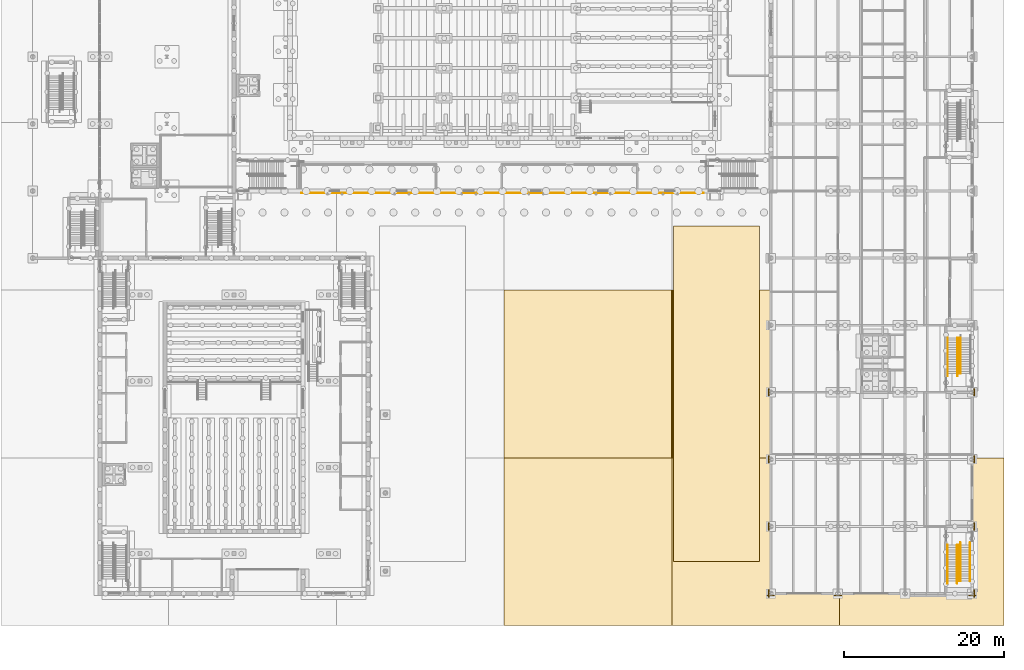
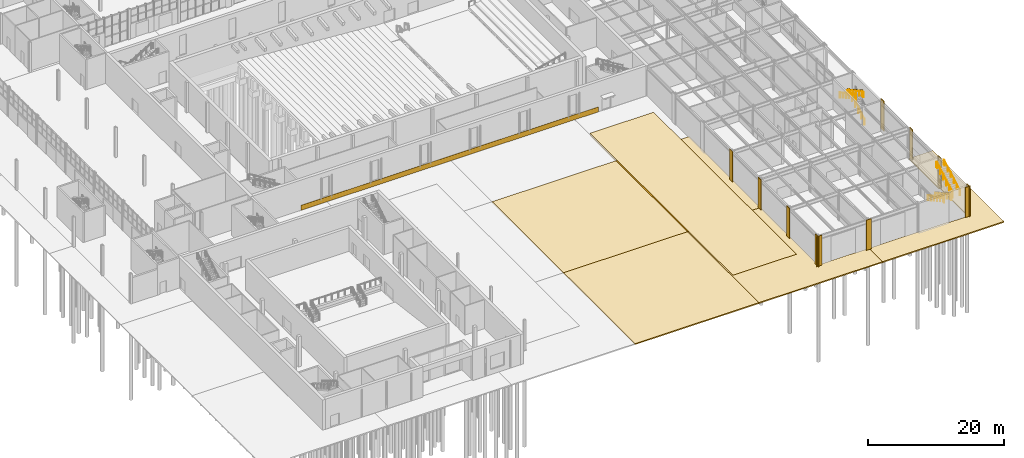
# One storey, part 101 of 127: 19 coverings, 10 railings.
"""IFC4 building model written with IfcOpenShell, lengths in metres."""

from ifc_helpers import new_model, si_unit, direction, frame, origin, origin_2d, place, context, subcontext, project, spatial, polyline, rectangle, circle, outline, extrude, material, layer, layer_set, type_object, element, save


model = new_model("IFC4")

# Units and contexts
model_context = context("Model", 3, precision=1e-05, world=origin(), true_north=direction((0.0, 1.0)))
body_context = subcontext(model_context, "Body", "Model", "MODEL_VIEW")
ifc_project = project(units=[si_unit("LENGTHUNIT", "METRE"), si_unit("AREAUNIT", "SQUARE_METRE"), si_unit("VOLUMEUNIT", "CUBIC_METRE"), si_unit("PLANEANGLEUNIT", "RADIAN"), si_unit("MASSUNIT", "GRAM", prefix="KILO")], contexts=[model_context])

# Site, building, storey
site_placement = place(None, origin())
site = spatial("IfcSite", under=ifc_project, at=site_placement, CompositionType="ELEMENT")
building_placement = place(site_placement, origin())
building = spatial("IfcBuilding", under=site, at=building_placement, Name="Ljudholm Concert House", CompositionType="ELEMENT")
storey_placement = place(building_placement, origin())
storey = spatial("IfcBuildingStorey", under=building, at=storey_placement, Name="L00", CompositionType="ELEMENT", Elevation=0.0)

# Covering
ifc_material_1 = material(Name="Ceramic cladding panel")
ifc_layer_1 = layer(ifc_material_1, 0.89990234375)
ifc_layer_set_1 = layer_set([ifc_layer_1], Name="Ceramic cladding panel")
covering_type_1 = type_object("IfcCoveringType", Name="CERAMIC CLADDING PANEL CLADDING 900", PredefinedType="CLADDING", material=ifc_layer_set_1)
covering_1_placement = place(storey_placement, origin())
element("IfcCovering", 1, at=covering_1_placement, inside=storey, type_object=covering_type_1, Name="Ceramic plinth band", PredefinedType="CLADDING", context=body_context, shape_type="SweptSolid", body=[
    extrude(outline(polyline([(37.60009765625, 54.1201171875), (88.0, 54.1201171875), (88.0, 54.14990234375), (37.60009765625, 54.14990234375), (37.60009765625, 54.1201171875)])), origin(), (0.0, 0.0, 1.0), 0.89990234375),
])

# Railings
ifc_material_2 = material(Name="Steel ASTM A36", Category="steel")
railing_type_1 = type_object("IfcRailingType", Name="GUARD 1100", PredefinedType="GUARDRAIL", material=ifc_material_2)
railing_1_placement = place(storey_placement, frame((119.77490234375, 10.074951171875, 0.168701171875)))
element("IfcRailing", 2, at=railing_1_placement, inside=storey, type_object=railing_type_1, Name="Guard", PredefinedType="GUARDRAIL", context=body_context, shape_type="SweptSolid", body=[
    extrude(circle(Radius=0.02490234375, at=origin_2d()), frame((0.0, 0.0, 1.0751953125), z_axis=(0.0, -0.871512386077, 0.490373491244), x_axis=(1.0, 0.0, 0.0)), (0.0, 0.0, 1.0), 1.032470703125),
    extrude(circle(Radius=0.02490234375, at=origin_2d()), frame((0.0, -0.89990234375, 1.58154296875), z_axis=(0.0, -0.87167022805, 0.49009286215), x_axis=(1.0, 0.0, 0.0)), (0.0, 0.0, 1.0), 1.03271484375),
    extrude(circle(Radius=0.02490234375, at=origin_2d()), frame((0.0, -1.800048828125, 2.08740234375), z_axis=(0.0, -0.871512386077, 0.490373491244), x_axis=(1.0, 0.0, 0.0)), (0.0, 0.0, 1.0), 1.032470703125),
    extrude(circle(Radius=0.02490234375, at=origin_2d()), frame((0.0, -2.699951171875, 2.59375), z_axis=(0.0, -0.871512386077, 0.490373491244), x_axis=(1.0, 0.0, 0.0)), (0.0, 0.0, 1.0), 1.032470703125),
    extrude(circle(Radius=0.02490234375, at=origin_2d()), frame((0.0, -3.599853515625, 3.10009765625), z_axis=(0.0, -0.87167022805, 0.49009286215), x_axis=(1.0, 0.0, 0.0)), (0.0, 0.0, 1.0), 1.03271484375),
    extrude(circle(Radius=0.02099609375, at=origin_2d()), origin(), (0.0, 0.0, 1.0), 1.050048828125),
    extrude(circle(Radius=0.02099609375, at=origin_2d()), frame((0.0, -0.89990234375, 0.50634765625)), (0.0, 0.0, 1.0), 1.050048828125),
    extrude(circle(Radius=0.02099609375, at=origin_2d()), frame((0.0, -1.800048828125, 1.012451171875)), (0.0, 0.0, 1.0), 1.050048828125),
    extrude(circle(Radius=0.02099609375, at=origin_2d()), frame((0.0, -2.699951171875, 1.518798828125)), (0.0, 0.0, 1.0), 1.050048828125),
    extrude(circle(Radius=0.02099609375, at=origin_2d()), frame((0.0, -3.599853515625, 2.025146484375)), (0.0, 0.0, 1.0), 1.050048828125),
    extrude(circle(Radius=0.02099609375, at=origin_2d()), frame((0.0, -4.5, 2.53125)), (0.0, 0.0, 1.0), 1.050048828125),
])
railing_2_placement = place(storey_placement, frame((120.074951171875, 5.574951171875, 2.86865234375)))
element("IfcRailing", 3, at=railing_2_placement, inside=storey, type_object=railing_type_1, Name="Guard", PredefinedType="GUARDRAIL", context=body_context, shape_type="SweptSolid", body=[
    extrude(circle(Radius=0.02490234375, at=origin_2d()), frame((0.0, 0.0, 1.0751953125), z_axis=(0.0, 0.871569223971, 0.490272462847), x_axis=(-1.0, 0.0, 0.0)), (0.0, 0.0, 1.0), 1.03271484375),
    extrude(circle(Radius=0.02490234375, at=origin_2d()), frame((0.0, 0.900146484375, 1.58154296875), z_axis=(0.0, 0.871512386077, 0.490373491244), x_axis=(-1.0, 0.0, 0.0)), (0.0, 0.0, 1.0), 1.032470703125),
    extrude(circle(Radius=0.02490234375, at=origin_2d()), frame((0.0, 1.800048828125, 2.087890625), z_axis=(0.0, 0.871613425205, 0.490193876953), x_axis=(-1.0, 0.0, 0.0)), (0.0, 0.0, 1.0), 1.032470703125),
    extrude(circle(Radius=0.02490234375, at=origin_2d()), frame((0.0, 2.699951171875, 2.59375), z_axis=(0.0, 0.871569223971, 0.490272462847), x_axis=(-1.0, 0.0, 0.0)), (0.0, 0.0, 1.0), 1.03271484375),
    extrude(circle(Radius=0.02490234375, at=origin_2d()), frame((0.0, 3.60009765625, 3.10009765625), z_axis=(0.0, 0.871613425205, 0.490193876953), x_axis=(-1.0, 0.0, 0.0)), (0.0, 0.0, 1.0), 1.032470703125),
    extrude(circle(Radius=0.02099609375, at=origin_2d()), origin(), (0.0, 0.0, 1.0), 1.050048828125),
    extrude(circle(Radius=0.02099609375, at=origin_2d()), frame((0.0, 0.900146484375, 0.50634765625)), (0.0, 0.0, 1.0), 1.050048828125),
    extrude(circle(Radius=0.02099609375, at=origin_2d()), frame((0.0, 1.800048828125, 1.0126953125)), (0.0, 0.0, 1.0), 1.050048828125),
    extrude(circle(Radius=0.02099609375, at=origin_2d()), frame((0.0, 2.699951171875, 1.518798828125)), (0.0, 0.0, 1.0), 1.050048828125),
    extrude(circle(Radius=0.02099609375, at=origin_2d()), frame((0.0, 3.60009765625, 2.025146484375)), (0.0, 0.0, 1.0), 1.050048828125),
    extrude(circle(Radius=0.02099609375, at=origin_2d()), frame((0.0, 4.5, 2.53125)), (0.0, 0.0, 1.0), 1.050048828125),
])
railing_3_placement = place(storey_placement, frame((120.125, 31.52490234375, 0.168701171875)))
element("IfcRailing", 4, at=railing_3_placement, inside=storey, type_object=railing_type_1, Name="Guard", PredefinedType="GUARDRAIL", context=body_context, shape_type="SweptSolid", body=[
    extrude(circle(Radius=0.02490234375, at=origin_2d()), frame((0.0, 0.0, 1.0751953125), z_axis=(0.0, 0.871569223971, 0.490272462847), x_axis=(-1.0, 0.0, 0.0)), (0.0, 0.0, 1.0), 1.03271484375),
    extrude(circle(Radius=0.02490234375, at=origin_2d()), frame((0.0, 0.900146484375, 1.58154296875), z_axis=(0.0, 0.871613425205, 0.490193876953), x_axis=(-1.0, 0.0, 0.0)), (0.0, 0.0, 1.0), 1.032470703125),
    extrude(circle(Radius=0.02490234375, at=origin_2d()), frame((0.0, 1.800048828125, 2.08740234375), z_axis=(0.0, 0.871569223971, 0.490272462847), x_axis=(-1.0, 0.0, 0.0)), (0.0, 0.0, 1.0), 1.03271484375),
    extrude(circle(Radius=0.02490234375, at=origin_2d()), frame((0.0, 2.7001953125, 2.59375), z_axis=(0.0, 0.871512386077, 0.490373491244), x_axis=(-1.0, 0.0, 0.0)), (0.0, 0.0, 1.0), 1.032470703125),
    extrude(circle(Radius=0.02490234375, at=origin_2d()), frame((0.0, 3.60009765625, 3.10009765625), z_axis=(0.0, 0.871613425205, 0.490193876953), x_axis=(-1.0, 0.0, 0.0)), (0.0, 0.0, 1.0), 1.032470703125),
    extrude(circle(Radius=0.02099609375, at=origin_2d()), origin(), (0.0, 0.0, 1.0), 1.050048828125),
    extrude(circle(Radius=0.02099609375, at=origin_2d()), frame((0.0, 0.900146484375, 0.50634765625)), (0.0, 0.0, 1.0), 1.050048828125),
    extrude(circle(Radius=0.02099609375, at=origin_2d()), frame((0.0, 1.800048828125, 1.012451171875)), (0.0, 0.0, 1.0), 1.050048828125),
    extrude(circle(Radius=0.02099609375, at=origin_2d()), frame((0.0, 2.7001953125, 1.518798828125)), (0.0, 0.0, 1.0), 1.050048828125),
    extrude(circle(Radius=0.02099609375, at=origin_2d()), frame((0.0, 3.60009765625, 2.025146484375)), (0.0, 0.0, 1.0), 1.050048828125),
    extrude(circle(Radius=0.02099609375, at=origin_2d()), frame((0.0, 4.5, 2.53125)), (0.0, 0.0, 1.0), 1.050048828125),
])
railing_4_placement = place(storey_placement, frame((119.824951171875, 36.02490234375, 2.86865234375)))
element("IfcRailing", 5, at=railing_4_placement, inside=storey, type_object=railing_type_1, Name="Guard", PredefinedType="GUARDRAIL", context=body_context, shape_type="SweptSolid", body=[
    extrude(circle(Radius=0.02490234375, at=origin_2d()), frame((0.0, 0.0, 1.0751953125), z_axis=(0.0, -0.871512386077, 0.490373491244), x_axis=(1.0, 0.0, 0.0)), (0.0, 0.0, 1.0), 1.032470703125),
    extrude(circle(Radius=0.02490234375, at=origin_2d()), frame((0.0, -0.89990234375, 1.58154296875), z_axis=(0.0, -0.871512386077, 0.490373491244), x_axis=(1.0, 0.0, 0.0)), (0.0, 0.0, 1.0), 1.032470703125),
    extrude(circle(Radius=0.02490234375, at=origin_2d()), frame((0.0, -1.7998046875, 2.087890625), z_axis=(0.0, -0.87167022805, 0.49009286215), x_axis=(1.0, 0.0, 0.0)), (0.0, 0.0, 1.0), 1.03271484375),
    extrude(circle(Radius=0.02490234375, at=origin_2d()), frame((0.0, -2.699951171875, 2.59375), z_axis=(0.0, -0.871512386077, 0.490373491244), x_axis=(1.0, 0.0, 0.0)), (0.0, 0.0, 1.0), 1.032470703125),
    extrude(circle(Radius=0.02490234375, at=origin_2d()), frame((0.0, -3.599853515625, 3.10009765625), z_axis=(0.0, -0.87167022805, 0.49009286215), x_axis=(1.0, 0.0, 0.0)), (0.0, 0.0, 1.0), 1.03271484375),
    extrude(circle(Radius=0.02099609375, at=origin_2d()), origin(), (0.0, 0.0, 1.0), 1.050048828125),
    extrude(circle(Radius=0.02099609375, at=origin_2d()), frame((0.0, -0.89990234375, 0.50634765625)), (0.0, 0.0, 1.0), 1.050048828125),
    extrude(circle(Radius=0.02099609375, at=origin_2d()), frame((0.0, -1.7998046875, 1.0126953125)), (0.0, 0.0, 1.0), 1.050048828125),
    extrude(circle(Radius=0.02099609375, at=origin_2d()), frame((0.0, -2.699951171875, 1.518798828125)), (0.0, 0.0, 1.0), 1.050048828125),
    extrude(circle(Radius=0.02099609375, at=origin_2d()), frame((0.0, -3.599853515625, 2.025146484375)), (0.0, 0.0, 1.0), 1.050048828125),
    extrude(circle(Radius=0.02099609375, at=origin_2d()), frame((0.0, -4.5, 2.53125)), (0.0, 0.0, 1.0), 1.050048828125),
])
ifc_material_3 = material(Name="Steel ASTM A36", Category="steel")
railing_type_2 = type_object("IfcRailingType", Name="HANDRAIL 900", PredefinedType="HANDRAIL", material=ifc_material_3)
railing_5_placement = place(storey_placement, frame((119.72509765625, 10.074951171875, 0.168701171875)))
element("IfcRailing", 6, at=railing_5_placement, inside=storey, type_object=railing_type_2, Name="Handrail", PredefinedType="HANDRAIL", context=body_context, shape_type="SweptSolid", body=[
    extrude(circle(Radius=0.0224609375, at=origin_2d()), frame((0.0, 0.0, 0.87744140625), z_axis=(0.0, -0.871512386077, 0.490373491244), x_axis=(1.0, 0.0, 0.0)), (0.0, 0.0, 1.0), 1.032470703125),
    extrude(circle(Radius=0.0224609375, at=origin_2d()), frame((0.0, -0.89990234375, 1.3837890625), z_axis=(0.0, -0.87167022805, 0.49009286215), x_axis=(1.0, 0.0, 0.0)), (0.0, 0.0, 1.0), 1.03271484375),
    extrude(circle(Radius=0.0224609375, at=origin_2d()), frame((0.0, -1.800048828125, 1.889892578125), z_axis=(0.0, -0.871512386077, 0.490373491244), x_axis=(1.0, 0.0, 0.0)), (0.0, 0.0, 1.0), 1.032470703125),
    extrude(circle(Radius=0.0224609375, at=origin_2d()), frame((0.0, -2.699951171875, 2.396240234375), z_axis=(0.0, -0.871512386077, 0.490373491244), x_axis=(1.0, 0.0, 0.0)), (0.0, 0.0, 1.0), 1.032470703125),
    extrude(circle(Radius=0.0224609375, at=origin_2d()), frame((0.0, -3.599853515625, 2.902587890625), z_axis=(0.0, -0.87167022805, 0.49009286215), x_axis=(1.0, 0.0, 0.0)), (0.0, 0.0, 1.0), 1.03271484375),
    extrude(circle(Radius=0.0224609375, at=origin_2d()), frame((0.0, -4.5, 3.40869140625), z_axis=(0.0, -1.0, 0.0), x_axis=(1.0, 0.0, 0.0)), (0.0, 0.0, 1.0), 0.300048828125),
    extrude(circle(Radius=0.02099609375, at=origin_2d()), origin(), (0.0, 0.0, 1.0), 0.85498046875),
    extrude(circle(Radius=0.02099609375, at=origin_2d()), frame((0.0, -0.89990234375, 0.50634765625)), (0.0, 0.0, 1.0), 0.85498046875),
    extrude(circle(Radius=0.02099609375, at=origin_2d()), frame((0.0, -1.800048828125, 1.012451171875)), (0.0, 0.0, 1.0), 0.85498046875),
    extrude(circle(Radius=0.02099609375, at=origin_2d()), frame((0.0, -2.699951171875, 1.518798828125)), (0.0, 0.0, 1.0), 0.85498046875),
    extrude(circle(Radius=0.02099609375, at=origin_2d()), frame((0.0, -3.599853515625, 2.025146484375)), (0.0, 0.0, 1.0), 0.85498046875),
    extrude(circle(Radius=0.02099609375, at=origin_2d()), frame((0.0, -4.5, 2.53125)), (0.0, 0.0, 1.0), 0.85498046875),
    extrude(circle(Radius=0.02099609375, at=origin_2d()), frame((0.0, -4.800048828125, 2.53125)), (0.0, 0.0, 1.0), 0.85498046875),
])
railing_6_placement = place(storey_placement, frame((118.5, 10.074951171875, 0.168701171875)))
element("IfcRailing", 7, at=railing_6_placement, inside=storey, type_object=railing_type_2, Name="Handrail", PredefinedType="HANDRAIL", context=body_context, shape_type="SweptSolid", body=[
    extrude(circle(Radius=0.0224609375, at=origin_2d()), frame((0.0, 0.0, 0.87744140625), z_axis=(0.0, -0.871512386077, 0.490373491244), x_axis=(1.0, 0.0, 0.0)), (0.0, 0.0, 1.0), 1.032470703125),
    extrude(circle(Radius=0.0224609375, at=origin_2d()), frame((0.0, -0.89990234375, 1.3837890625), z_axis=(0.0, -0.87167022805, 0.49009286215), x_axis=(1.0, 0.0, 0.0)), (0.0, 0.0, 1.0), 1.03271484375),
    extrude(circle(Radius=0.0224609375, at=origin_2d()), frame((0.0, -1.800048828125, 1.889892578125), z_axis=(0.0, -0.871512386077, 0.490373491244), x_axis=(1.0, 0.0, 0.0)), (0.0, 0.0, 1.0), 1.032470703125),
    extrude(circle(Radius=0.0224609375, at=origin_2d()), frame((0.0, -2.699951171875, 2.396240234375), z_axis=(0.0, -0.871512386077, 0.490373491244), x_axis=(1.0, 0.0, 0.0)), (0.0, 0.0, 1.0), 1.032470703125),
    extrude(circle(Radius=0.0224609375, at=origin_2d()), frame((0.0, -3.599853515625, 2.902587890625), z_axis=(0.0, -0.87167022805, 0.49009286215), x_axis=(1.0, 0.0, 0.0)), (0.0, 0.0, 1.0), 1.03271484375),
    extrude(circle(Radius=0.0224609375, at=origin_2d()), frame((0.0, -4.5, 3.40869140625), z_axis=(0.0, -1.0, 0.0), x_axis=(1.0, 0.0, 0.0)), (0.0, 0.0, 1.0), 0.300048828125),
    extrude(circle(Radius=0.02099609375, at=origin_2d()), origin(), (0.0, 0.0, 1.0), 0.85498046875),
    extrude(circle(Radius=0.02099609375, at=origin_2d()), frame((0.0, -0.89990234375, 0.50634765625)), (0.0, 0.0, 1.0), 0.85498046875),
    extrude(circle(Radius=0.02099609375, at=origin_2d()), frame((0.0, -1.800048828125, 1.012451171875)), (0.0, 0.0, 1.0), 0.85498046875),
    extrude(circle(Radius=0.02099609375, at=origin_2d()), frame((0.0, -2.699951171875, 1.518798828125)), (0.0, 0.0, 1.0), 0.85498046875),
    extrude(circle(Radius=0.02099609375, at=origin_2d()), frame((0.0, -3.599853515625, 2.025146484375)), (0.0, 0.0, 1.0), 0.85498046875),
    extrude(circle(Radius=0.02099609375, at=origin_2d()), frame((0.0, -4.5, 2.53125)), (0.0, 0.0, 1.0), 0.85498046875),
    extrude(circle(Radius=0.02099609375, at=origin_2d()), frame((0.0, -4.800048828125, 2.53125)), (0.0, 0.0, 1.0), 0.85498046875),
])
railing_7_placement = place(storey_placement, frame((120.125, 5.574951171875, 2.86865234375)))
element("IfcRailing", 8, at=railing_7_placement, inside=storey, type_object=railing_type_2, Name="Handrail", PredefinedType="HANDRAIL", context=body_context, shape_type="SweptSolid", body=[
    extrude(circle(Radius=0.0224609375, at=origin_2d()), frame((0.0, 0.0, 0.87744140625), z_axis=(0.0, 0.871569223971, 0.490272462847), x_axis=(-1.0, 0.0, 0.0)), (0.0, 0.0, 1.0), 1.03271484375),
    extrude(circle(Radius=0.0224609375, at=origin_2d()), frame((0.0, 0.900146484375, 1.3837890625), z_axis=(0.0, 0.871512386077, 0.490373491244), x_axis=(-1.0, 0.0, 0.0)), (0.0, 0.0, 1.0), 1.032470703125),
    extrude(circle(Radius=0.0224609375, at=origin_2d()), frame((0.0, 1.800048828125, 1.89013671875), z_axis=(0.0, 0.871613425205, 0.490193876953), x_axis=(-1.0, 0.0, 0.0)), (0.0, 0.0, 1.0), 1.032470703125),
    extrude(circle(Radius=0.0224609375, at=origin_2d()), frame((0.0, 2.699951171875, 2.396240234375), z_axis=(0.0, 0.871569223971, 0.490272462847), x_axis=(-1.0, 0.0, 0.0)), (0.0, 0.0, 1.0), 1.03271484375),
    extrude(circle(Radius=0.0224609375, at=origin_2d()), frame((0.0, 3.60009765625, 2.902587890625), z_axis=(0.0, 0.871613425205, 0.490193876953), x_axis=(-1.0, 0.0, 0.0)), (0.0, 0.0, 1.0), 1.032470703125),
    extrude(circle(Radius=0.0224609375, at=origin_2d()), frame((0.0, 4.5, 3.40869140625), z_axis=(0.0, 1.0, 0.0), x_axis=(-1.0, 0.0, 0.0)), (0.0, 0.0, 1.0), 0.300048828125),
    extrude(circle(Radius=0.02099609375, at=origin_2d()), origin(), (0.0, 0.0, 1.0), 0.85498046875),
    extrude(circle(Radius=0.02099609375, at=origin_2d()), frame((0.0, 0.900146484375, 0.50634765625)), (0.0, 0.0, 1.0), 0.85498046875),
    extrude(circle(Radius=0.02099609375, at=origin_2d()), frame((0.0, 1.800048828125, 1.0126953125)), (0.0, 0.0, 1.0), 0.85498046875),
    extrude(circle(Radius=0.02099609375, at=origin_2d()), frame((0.0, 2.699951171875, 1.518798828125)), (0.0, 0.0, 1.0), 0.85498046875),
    extrude(circle(Radius=0.02099609375, at=origin_2d()), frame((0.0, 3.60009765625, 2.025146484375)), (0.0, 0.0, 1.0), 0.85498046875),
    extrude(circle(Radius=0.02099609375, at=origin_2d()), frame((0.0, 4.5, 2.53125)), (0.0, 0.0, 1.0), 0.85498046875),
    extrude(circle(Radius=0.02099609375, at=origin_2d()), frame((0.0, 4.800048828125, 2.53125)), (0.0, 0.0, 1.0), 0.85498046875),
])
railing_8_placement = place(storey_placement, frame((121.35009765625, 5.574951171875, 2.86865234375)))
element("IfcRailing", 9, at=railing_8_placement, inside=storey, type_object=railing_type_2, Name="Handrail", PredefinedType="HANDRAIL", context=body_context, shape_type="SweptSolid", body=[
    extrude(circle(Radius=0.0224609375, at=origin_2d()), frame((0.0, 0.0, 0.87744140625), z_axis=(0.0, 0.871569223971, 0.490272462847), x_axis=(-1.0, 0.0, 0.0)), (0.0, 0.0, 1.0), 1.03271484375),
    extrude(circle(Radius=0.0224609375, at=origin_2d()), frame((0.0, 0.900146484375, 1.3837890625), z_axis=(0.0, 0.871512386077, 0.490373491244), x_axis=(-1.0, 0.0, 0.0)), (0.0, 0.0, 1.0), 1.032470703125),
    extrude(circle(Radius=0.0224609375, at=origin_2d()), frame((0.0, 1.800048828125, 1.89013671875), z_axis=(0.0, 0.871613425205, 0.490193876953), x_axis=(-1.0, 0.0, 0.0)), (0.0, 0.0, 1.0), 1.032470703125),
    extrude(circle(Radius=0.0224609375, at=origin_2d()), frame((0.0, 2.699951171875, 2.396240234375), z_axis=(0.0, 0.871569223971, 0.490272462847), x_axis=(-1.0, 0.0, 0.0)), (0.0, 0.0, 1.0), 1.03271484375),
    extrude(circle(Radius=0.0224609375, at=origin_2d()), frame((0.0, 3.60009765625, 2.902587890625), z_axis=(0.0, 0.871613425205, 0.490193876953), x_axis=(-1.0, 0.0, 0.0)), (0.0, 0.0, 1.0), 1.032470703125),
    extrude(circle(Radius=0.0224609375, at=origin_2d()), frame((0.0, 4.5, 3.40869140625), z_axis=(0.0, 1.0, 0.0), x_axis=(-1.0, 0.0, 0.0)), (0.0, 0.0, 1.0), 0.300048828125),
    extrude(circle(Radius=0.02099609375, at=origin_2d()), origin(), (0.0, 0.0, 1.0), 0.85498046875),
    extrude(circle(Radius=0.02099609375, at=origin_2d()), frame((0.0, 0.900146484375, 0.50634765625)), (0.0, 0.0, 1.0), 0.85498046875),
    extrude(circle(Radius=0.02099609375, at=origin_2d()), frame((0.0, 1.800048828125, 1.0126953125)), (0.0, 0.0, 1.0), 0.85498046875),
    extrude(circle(Radius=0.02099609375, at=origin_2d()), frame((0.0, 2.699951171875, 1.518798828125)), (0.0, 0.0, 1.0), 0.85498046875),
    extrude(circle(Radius=0.02099609375, at=origin_2d()), frame((0.0, 3.60009765625, 2.025146484375)), (0.0, 0.0, 1.0), 0.85498046875),
    extrude(circle(Radius=0.02099609375, at=origin_2d()), frame((0.0, 4.5, 2.53125)), (0.0, 0.0, 1.0), 0.85498046875),
    extrude(circle(Radius=0.02099609375, at=origin_2d()), frame((0.0, 4.800048828125, 2.53125)), (0.0, 0.0, 1.0), 0.85498046875),
])
railing_9_placement = place(storey_placement, frame((119.77490234375, 36.02490234375, 2.86865234375)))
element("IfcRailing", 10, at=railing_9_placement, inside=storey, type_object=railing_type_2, Name="Handrail", PredefinedType="HANDRAIL", context=body_context, shape_type="SweptSolid", body=[
    extrude(circle(Radius=0.0224609375, at=origin_2d()), frame((0.0, 0.0, 0.87744140625), z_axis=(0.0, -0.871512386077, 0.490373491244), x_axis=(1.0, 0.0, 0.0)), (0.0, 0.0, 1.0), 1.032470703125),
    extrude(circle(Radius=0.0224609375, at=origin_2d()), frame((0.0, -0.89990234375, 1.3837890625), z_axis=(0.0, -0.871512386077, 0.490373491244), x_axis=(1.0, 0.0, 0.0)), (0.0, 0.0, 1.0), 1.032470703125),
    extrude(circle(Radius=0.0224609375, at=origin_2d()), frame((0.0, -1.7998046875, 1.89013671875), z_axis=(0.0, -0.87167022805, 0.49009286215), x_axis=(1.0, 0.0, 0.0)), (0.0, 0.0, 1.0), 1.03271484375),
    extrude(circle(Radius=0.0224609375, at=origin_2d()), frame((0.0, -2.699951171875, 2.396240234375), z_axis=(0.0, -0.871512386077, 0.490373491244), x_axis=(1.0, 0.0, 0.0)), (0.0, 0.0, 1.0), 1.032470703125),
    extrude(circle(Radius=0.0224609375, at=origin_2d()), frame((0.0, -3.599853515625, 2.902587890625), z_axis=(0.0, -0.87167022805, 0.49009286215), x_axis=(1.0, 0.0, 0.0)), (0.0, 0.0, 1.0), 1.03271484375),
    extrude(circle(Radius=0.0224609375, at=origin_2d()), frame((0.0, -4.5, 3.40869140625), z_axis=(0.0, -1.0, 0.0), x_axis=(1.0, 0.0, 0.0)), (0.0, 0.0, 1.0), 0.2998046875),
    extrude(circle(Radius=0.02099609375, at=origin_2d()), origin(), (0.0, 0.0, 1.0), 0.85498046875),
    extrude(circle(Radius=0.02099609375, at=origin_2d()), frame((0.0, -0.89990234375, 0.50634765625)), (0.0, 0.0, 1.0), 0.85498046875),
    extrude(circle(Radius=0.02099609375, at=origin_2d()), frame((0.0, -1.7998046875, 1.0126953125)), (0.0, 0.0, 1.0), 0.85498046875),
    extrude(circle(Radius=0.02099609375, at=origin_2d()), frame((0.0, -2.699951171875, 1.518798828125)), (0.0, 0.0, 1.0), 0.85498046875),
    extrude(circle(Radius=0.02099609375, at=origin_2d()), frame((0.0, -3.599853515625, 2.025146484375)), (0.0, 0.0, 1.0), 0.85498046875),
    extrude(circle(Radius=0.02099609375, at=origin_2d()), frame((0.0, -4.5, 2.53125)), (0.0, 0.0, 1.0), 0.85498046875),
    extrude(circle(Radius=0.02099609375, at=origin_2d()), frame((0.0, -4.7998046875, 2.53125)), (0.0, 0.0, 1.0), 0.85498046875),
])
railing_10_placement = place(storey_placement, frame((118.550048828125, 36.02490234375, 2.86865234375)))
element("IfcRailing", 11, at=railing_10_placement, inside=storey, type_object=railing_type_2, Name="Handrail", PredefinedType="HANDRAIL", context=body_context, shape_type="SweptSolid", body=[
    extrude(circle(Radius=0.0224609375, at=origin_2d()), frame((0.0, 0.0, 0.87744140625), z_axis=(0.0, -0.871512386077, 0.490373491244), x_axis=(1.0, 0.0, 0.0)), (0.0, 0.0, 1.0), 1.032470703125),
    extrude(circle(Radius=0.0224609375, at=origin_2d()), frame((0.0, -0.89990234375, 1.3837890625), z_axis=(0.0, -0.871512386077, 0.490373491244), x_axis=(1.0, 0.0, 0.0)), (0.0, 0.0, 1.0), 1.032470703125),
    extrude(circle(Radius=0.0224609375, at=origin_2d()), frame((0.0, -1.7998046875, 1.89013671875), z_axis=(0.0, -0.87167022805, 0.49009286215), x_axis=(1.0, 0.0, 0.0)), (0.0, 0.0, 1.0), 1.03271484375),
    extrude(circle(Radius=0.0224609375, at=origin_2d()), frame((0.0, -2.699951171875, 2.396240234375), z_axis=(0.0, -0.871512386077, 0.490373491244), x_axis=(1.0, 0.0, 0.0)), (0.0, 0.0, 1.0), 1.032470703125),
    extrude(circle(Radius=0.0224609375, at=origin_2d()), frame((0.0, -3.599853515625, 2.902587890625), z_axis=(0.0, -0.87167022805, 0.49009286215), x_axis=(1.0, 0.0, 0.0)), (0.0, 0.0, 1.0), 1.03271484375),
    extrude(circle(Radius=0.0224609375, at=origin_2d()), frame((0.0, -4.5, 3.40869140625), z_axis=(0.0, -1.0, 0.0), x_axis=(1.0, 0.0, 0.0)), (0.0, 0.0, 1.0), 0.2998046875),
    extrude(circle(Radius=0.02099609375, at=origin_2d()), origin(), (0.0, 0.0, 1.0), 0.85498046875),
    extrude(circle(Radius=0.02099609375, at=origin_2d()), frame((0.0, -0.89990234375, 0.50634765625)), (0.0, 0.0, 1.0), 0.85498046875),
    extrude(circle(Radius=0.02099609375, at=origin_2d()), frame((0.0, -1.7998046875, 1.0126953125)), (0.0, 0.0, 1.0), 0.85498046875),
    extrude(circle(Radius=0.02099609375, at=origin_2d()), frame((0.0, -2.699951171875, 1.518798828125)), (0.0, 0.0, 1.0), 0.85498046875),
    extrude(circle(Radius=0.02099609375, at=origin_2d()), frame((0.0, -3.599853515625, 2.025146484375)), (0.0, 0.0, 1.0), 0.85498046875),
    extrude(circle(Radius=0.02099609375, at=origin_2d()), frame((0.0, -4.5, 2.53125)), (0.0, 0.0, 1.0), 0.85498046875),
    extrude(circle(Radius=0.02099609375, at=origin_2d()), frame((0.0, -4.7998046875, 2.53125)), (0.0, 0.0, 1.0), 0.85498046875),
])

# Coverings
ifc_material_4 = material(Name="Planting soil and ground cover")
ifc_layer_2 = layer(ifc_material_4, 0.449951171875)
ifc_layer_set_2 = layer_set([ifc_layer_2], Name="Planting soil and ground cover")
covering_type_2 = type_object("IfcCoveringType", Name="PLANTING SOIL AND GROUND COVER FLOOR FINISH 450", PredefinedType="FLOORING", material=ifc_layer_set_2)
covering_2_placement = place(storey_placement, frame((0.0, 0.0, -0.449951171875)))
element("IfcCovering", 12, at=covering_2_placement, inside=storey, type_object=covering_type_2, Name="Planted bed", PredefinedType="FLOORING", context=body_context, shape_type="SweptSolid", body=[
    extrude(outline(polyline([(84.199951171875, 8.0), (95.0, 8.0), (95.0, 50.0), (84.199951171875, 50.0), (84.199951171875, 8.0)])), origin(), (0.0, 0.0, 1.0), 0.449951171875),
])
ifc_material_5 = material(Name="Precast concrete pavers on compacted sand bed", Category="concrete")
ifc_layer_3 = layer(ifc_material_5, 0.199951171875)
ifc_layer_set_3 = layer_set([ifc_layer_3], Name="Precast concrete pavers on compacted sand bed")
covering_type_3 = type_object("IfcCoveringType", Name="PRECAST CONCRETE PAVERS ON COMPACTED SAND BED PAVING 200", PredefinedType="USERDEFINED", material=ifc_layer_set_3)
covering_3_placement = place(storey_placement, frame((0.0, 0.0, -0.199951171875)))
element("IfcCovering", 13, at=covering_3_placement, inside=storey, type_object=covering_type_3, Name="Paving", ObjectType="PAVING", PredefinedType="USERDEFINED", context=body_context, shape_type="SweptSolid", body=[
    extrude(outline(polyline([(63.0, 0.010009765625), (63.0, 21.0), (84.0, 21.0), (84.0, 0.010009765625), (63.0, 0.010009765625)])), origin(), (0.0, 0.0, 1.0), 0.199951171875),
])
covering_4_placement = place(storey_placement, frame((0.0, 0.0, -0.199951171875)))
element("IfcCovering", 14, at=covering_4_placement, inside=storey, type_object=covering_type_3, Name="Paving", ObjectType="PAVING", PredefinedType="USERDEFINED", context=body_context, shape_type="SweptSolid", body=[
    extrude(outline(polyline([(84.0, 0.010009765625), (84.0, 21.0), (84.199951171875, 21.0), (84.199951171875, 8.0), (95.0, 8.0), (95.0, 21.0), (96.39990234375, 21.0), (96.39990234375, 4.0), (105.0, 4.0), (105.0, 0.010009765625), (84.0, 0.010009765625)])), origin(), (0.0, 0.0, 1.0), 0.199951171875),
])
covering_5_placement = place(storey_placement, frame((0.0, 0.0, -0.199951171875)))
element("IfcCovering", 15, at=covering_5_placement, inside=storey, type_object=covering_type_3, Name="Paving", ObjectType="PAVING", PredefinedType="USERDEFINED", context=body_context, shape_type="SweptSolid", body=[
    extrude(outline(polyline([(125.590087890625, 0.010009765625), (105.0, 0.010009765625), (105.0, 4.0), (118.324951171875, 4.0), (118.3251953125, 3.84814453125), (118.326416015625, 3.84228515625), (118.330810546875, 3.8359375), (118.33740234375, 3.83154296875), (118.343017578125, 3.830078125), (121.591796875, 3.830078125), (121.599365234375, 3.83154296875), (121.607177734375, 3.83740234375), (121.61083984375, 3.84423828125), (121.61181640625, 3.85009765625), (121.61181640625, 4.14990234375), (121.609375, 4.159423828125), (121.602783203125, 4.166748046875), (121.751953125, 4.166748046875), (121.759521484375, 4.1689453125), (121.765380859375, 4.174072265625), (121.76904296875, 4.180908203125), (121.77001953125, 4.186767578125), (121.77001953125, 12.21337890625), (121.76904296875, 12.218994140625), (121.765380859375, 12.22607421875), (121.759521484375, 12.23095703125), (121.751953125, 12.233154296875), (121.60009765625, 12.2333984375), (121.60009765625, 21.0), (125.590087890625, 21.0), (125.590087890625, 0.010009765625)])), origin(), (0.0, 0.0, 1.0), 0.199951171875),
])
covering_6_placement = place(storey_placement, frame((0.0, 0.0, -0.199951171875)))
element("IfcCovering", 16, at=covering_6_placement, inside=storey, type_object=covering_type_3, Name="Paving", ObjectType="PAVING", PredefinedType="USERDEFINED", context=body_context, shape_type="SweptSolid", body=[
    extrude(outline(polyline([(63.0, 21.0), (63.0, 42.0), (84.0, 42.0), (84.0, 21.0), (63.0, 21.0)])), origin(), (0.0, 0.0, 1.0), 0.199951171875),
])
covering_7_placement = place(storey_placement, frame((0.0, 0.0, -0.199951171875)))
element("IfcCovering", 17, at=covering_7_placement, inside=storey, type_object=covering_type_3, Name="Paving", ObjectType="PAVING", PredefinedType="USERDEFINED", context=body_context, shape_type="SweptSolid", body=[
    extrude(outline(polyline([(96.39990234375, 21.0), (95.0, 21.0), (95.0, 42.0), (96.39990234375, 42.0), (96.39990234375, 21.0)])), origin(), (0.0, 0.0, 1.0), 0.199951171875),
])
covering_8_placement = place(storey_placement, frame((0.0, 0.0, -0.199951171875)))
element("IfcCovering", 18, at=covering_8_placement, inside=storey, type_object=covering_type_3, Name="Paving", ObjectType="PAVING", PredefinedType="USERDEFINED", context=body_context, shape_type="SweptSolid", body=[
    extrude(outline(polyline([(84.199951171875, 21.0), (84.0, 21.0), (84.0, 42.0), (84.199951171875, 42.0), (84.199951171875, 21.0)])), origin(), (0.0, 0.0, 1.0), 0.199951171875),
])
ifc_material_6 = material(Name="Precast concrete, limestone aggregate", Category="masonry")
ifc_layer_4 = layer(ifc_material_6, 0.110107421875)
ifc_layer_set_4 = layer_set([ifc_layer_4], Name="Precast concrete, limestone aggregate")
covering_type_4 = type_object("IfcCoveringType", Name="PRECAST CONCRETE, LIMESTONE AGGREGATE CLADDING 110", PredefinedType="CLADDING", material=ifc_layer_set_4)
for number, where, z_axis, x_axis, name in (
    (19, (121.844970703125, 4.0, 0.0), (0.0, 0.0, 1.0), (1.0, 0.0, 0.0), "Pilaster cladding"),
    (20, (121.844970703125, 12.39990234375, 0.0), (0.0, 0.0, 1.0), (1.0, 0.0, 0.0), "Pilaster cladding"),
    (21, (121.844970703125, 20.800048828125, 0.0), (0.0, 0.0, 1.0), (1.0, 0.0, 0.0), "Pilaster cladding"),
    (22, (121.844970703125, 29.199951171875, 0.0), (0.0, 0.0, 1.0), (1.0, 0.0, 0.0), "Pilaster cladding"),
    (23, (96.39990234375, 3.7548828125, 0.0), (0.0, 0.0, 1.0), (0.0, -1.0, 0.0), "Pilaster cladding"),
    (24, (104.800048828125, 3.7548828125, 0.0), (0.0, 0.0, 1.0), (0.0, -1.0, 0.0), "Pilaster cladding"),
    (25, (121.60009765625, 3.7548828125, 0.0), (0.0, 0.0, 1.0), (0.0, -1.0, 0.0), "Pilaster cladding"),
    (26, (96.155029296875, 4.0, 0.0), (0.0, 0.0, 1.0), (-1.0, 0.0, 0.0), "Pilaster cladding"),
    (27, (96.155029296875, 12.39990234375, 0.0), (0.0, 0.0, 1.0), (-1.0, 0.0, 0.0), "Pilaster cladding"),
    (28, (96.155029296875, 20.800048828125, 0.0), (0.0, 0.0, 1.0), (-1.0, 0.0, 0.0), "Pilaster cladding"),
    (29, (96.155029296875, 29.199951171875, 0.0), (0.0, 0.0, 1.0), (-1.0, 0.0, 0.0), "Pilaster cladding"),
):
    element("IfcCovering", number, at=place(storey_placement, frame(where, z_axis=z_axis, x_axis=x_axis)), inside=storey, type_object=covering_type_4, Name=name, PredefinedType="CLADDING", context=body_context, shape_type="SweptSolid", body=[
        extrude(rectangle(XDim=0.110107421875, YDim=0.89990234375, at=origin_2d()), origin(), (0.0, 0.0, 1.0), 5.39990234375),
    ])

save(model, "model.ifc")
